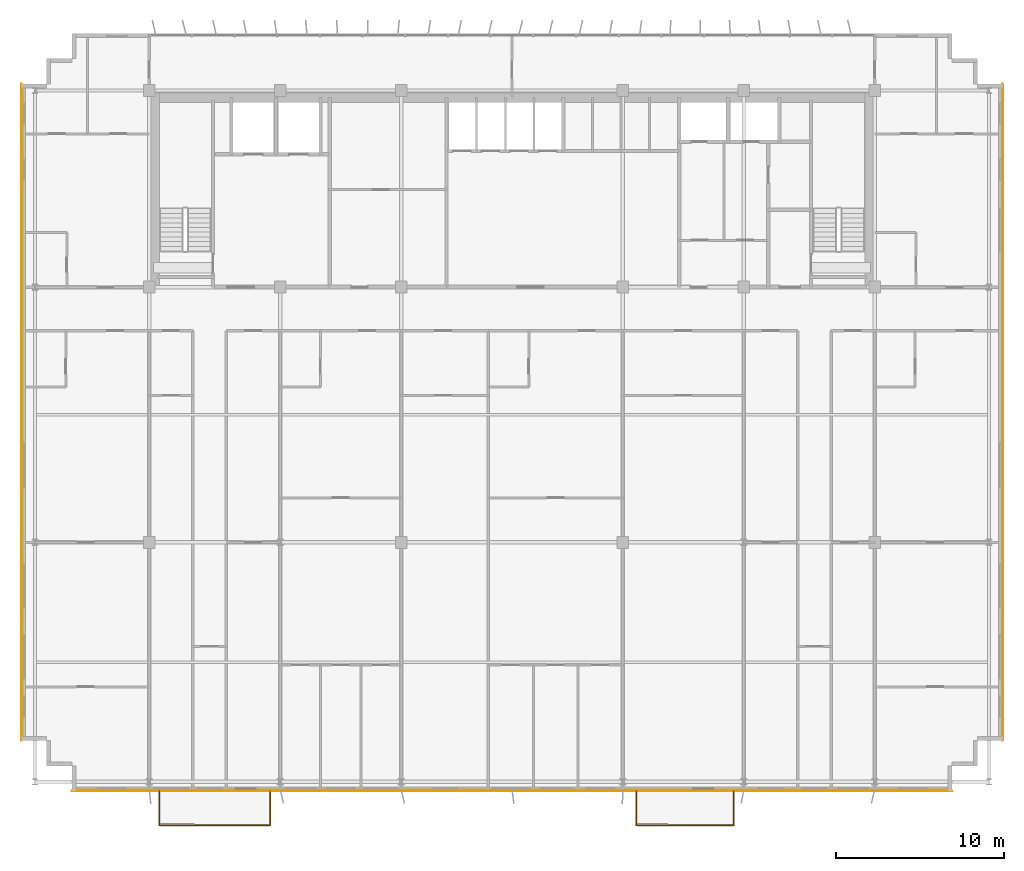
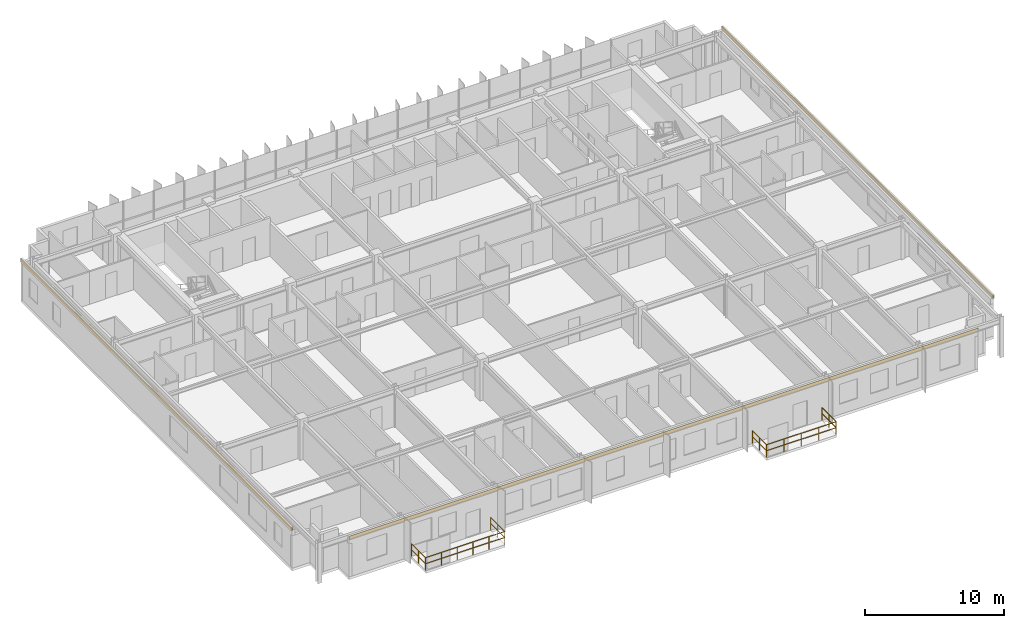
# One storey, part 22 of 23: 6 railings, 3 coverings.
"""IFC4 building model written with IfcOpenShell, lengths in metres."""

from ifc_helpers import new_model, si_unit, direction, frame, origin, origin_2d, place, context, subcontext, project, spatial, rectangle, extrude, source, transform, mapped, material, layer, layer_set, type_object, element, save


model = new_model("IFC4")

# Units and contexts
model_context = context("Model", 3, precision=1e-05, world=origin(), true_north=direction((0.0, 1.0)))
body_context = subcontext(model_context, "Body", "Model", "MODEL_VIEW")
ifc_project = project(units=[si_unit("LENGTHUNIT", "METRE"), si_unit("AREAUNIT", "SQUARE_METRE"), si_unit("VOLUMEUNIT", "CUBIC_METRE"), si_unit("PLANEANGLEUNIT", "RADIAN"), si_unit("MASSUNIT", "GRAM", prefix="KILO")], contexts=[model_context])

# Site, building, storey
site_placement = place(None, origin())
site = spatial("IfcSite", under=ifc_project, at=site_placement, CompositionType="ELEMENT")
building_placement = place(site_placement, origin())
building = spatial("IfcBuilding", under=site, at=building_placement, Name="Trelvane Seafront Commons", CompositionType="ELEMENT")
storey_placement = place(building_placement, frame((0.0, 0.0, 208.5)))
storey = spatial("IfcBuildingStorey", under=building, at=storey_placement, Name="L54", CompositionType="ELEMENT", Elevation=208.5)

# Railings
ifc_material_1 = material(Name="Stainless steel balustrade", Category="steel")
railing_type = type_object("IfcRailingType", Name="ARCH-RAIL-BAL1150", PredefinedType="BALUSTRADE", material=ifc_material_1)
railing_1_placement = place(storey_placement, frame((16.199951171875, 3.39990234375, 0.0)))
element("IfcRailing", 1, at=railing_1_placement, inside=storey, type_object=railing_type, Name="RL-L54-BAL0-01", PredefinedType="BALUSTRADE", context=body_context, shape_type="SweptSolid", body=[
    extrude(rectangle(XDim=0.048095703125, YDim=0.048095703125, at=origin_2d()), frame((0.0, 0.0, 1.1259765625), z_axis=(0.0, -1.0, 0.0), x_axis=(1.0, 0.0, 0.0)), (0.0, 0.0, 1.0), 2.039794921875),
    extrude(rectangle(XDim=0.048095703125, YDim=0.048095703125, at=origin_2d()), frame((0.0, 0.0, 0.597900390625), z_axis=(0.0, -1.0, 0.0), x_axis=(1.0, 0.0, 0.0)), (0.0, 0.0, 1.0), 2.039794921875),
    extrude(rectangle(XDim=0.0419921875, YDim=0.0419921875, at=origin_2d()), origin(), (0.0, 0.0, 1.0), 1.1259765625),
    extrude(rectangle(XDim=0.0419921875, YDim=0.0419921875, at=origin_2d()), frame((0.0, -1.02001953125, 0.0)), (0.0, 0.0, 1.0), 1.1259765625),
    extrude(rectangle(XDim=0.0419921875, YDim=0.0419921875, at=origin_2d()), frame((0.0, -2.039794921875, 0.0)), (0.0, 0.0, 1.0), 1.1259765625),
])
railing_2_placement = place(storey_placement, frame((16.199951171875, 1.360107421875, 0.0)))
element("IfcRailing", 2, at=railing_2_placement, inside=storey, type_object=railing_type, Name="RL-L54-BAL0-02", PredefinedType="BALUSTRADE", context=body_context, shape_type="SweptSolid", body=[
    extrude(rectangle(XDim=0.048095703125, YDim=0.048095703125, at=origin_2d()), frame((0.0, 0.0, 1.1259765625), z_axis=(1.0, 0.0, 0.0), x_axis=(0.0, 1.0, 0.0)), (0.0, 0.0, 1.0), 6.60009765625),
    extrude(rectangle(XDim=0.048095703125, YDim=0.048095703125, at=origin_2d()), frame((0.0, 0.0, 0.597900390625), z_axis=(1.0, 0.0, 0.0), x_axis=(0.0, 1.0, 0.0)), (0.0, 0.0, 1.0), 6.60009765625),
    extrude(rectangle(XDim=0.0419921875, YDim=0.0419921875, at=origin_2d()), origin(), (0.0, 0.0, 1.0), 1.1259765625),
    extrude(rectangle(XDim=0.0419921875, YDim=0.0419921875, at=origin_2d()), frame((1.320068359375, 0.0, 0.0)), (0.0, 0.0, 1.0), 1.1259765625),
    extrude(rectangle(XDim=0.0419921875, YDim=0.0419921875, at=origin_2d()), frame((2.64013671875, 0.0, 0.0)), (0.0, 0.0, 1.0), 1.1259765625),
    extrude(rectangle(XDim=0.0419921875, YDim=0.0419921875, at=origin_2d()), frame((3.9599609375, 0.0, 0.0)), (0.0, 0.0, 1.0), 1.1259765625),
    extrude(rectangle(XDim=0.0419921875, YDim=0.0419921875, at=origin_2d()), frame((5.280029296875, 0.0, 0.0)), (0.0, 0.0, 1.0), 1.1259765625),
    extrude(rectangle(XDim=0.0419921875, YDim=0.0419921875, at=origin_2d()), frame((6.60009765625, 0.0, 0.0)), (0.0, 0.0, 1.0), 1.1259765625),
])
railing_3_placement = place(storey_placement, frame((22.800048828125, 1.360107421875, 0.0)))
element("IfcRailing", 3, at=railing_3_placement, inside=storey, type_object=railing_type, Name="RL-L54-BAL0-03", PredefinedType="BALUSTRADE", context=body_context, shape_type="SweptSolid", body=[
    extrude(rectangle(XDim=0.048095703125, YDim=0.048095703125, at=origin_2d()), frame((0.0, 0.0, 1.1259765625), z_axis=(0.0, 1.0, 0.0), x_axis=(-1.0, 0.0, 0.0)), (0.0, 0.0, 1.0), 2.039794921875),
    extrude(rectangle(XDim=0.048095703125, YDim=0.048095703125, at=origin_2d()), frame((0.0, 0.0, 0.597900390625), z_axis=(0.0, 1.0, 0.0), x_axis=(-1.0, 0.0, 0.0)), (0.0, 0.0, 1.0), 2.039794921875),
    extrude(rectangle(XDim=0.0419921875, YDim=0.0419921875, at=origin_2d()), origin(), (0.0, 0.0, 1.0), 1.1259765625),
    extrude(rectangle(XDim=0.0419921875, YDim=0.0419921875, at=origin_2d()), frame((0.0, 1.02001953125, 0.0)), (0.0, 0.0, 1.0), 1.1259765625),
    extrude(rectangle(XDim=0.0419921875, YDim=0.0419921875, at=origin_2d()), frame((0.0, 2.039794921875, 0.0)), (0.0, 0.0, 1.0), 1.1259765625),
])
railing_4_placement = place(storey_placement, frame((44.60009765625, 3.39990234375, 0.0)))
element("IfcRailing", 4, at=railing_4_placement, inside=storey, type_object=railing_type, Name="RL-L54-BAL1-01", PredefinedType="BALUSTRADE", context=body_context, shape_type="SweptSolid", body=[
    extrude(rectangle(XDim=0.048095703125, YDim=0.048095703125, at=origin_2d()), frame((0.0, 0.0, 1.1259765625), z_axis=(0.0, -1.0, 0.0), x_axis=(1.0, 0.0, 0.0)), (0.0, 0.0, 1.0), 2.039794921875),
    extrude(rectangle(XDim=0.048095703125, YDim=0.048095703125, at=origin_2d()), frame((0.0, 0.0, 0.597900390625), z_axis=(0.0, -1.0, 0.0), x_axis=(1.0, 0.0, 0.0)), (0.0, 0.0, 1.0), 2.039794921875),
    extrude(rectangle(XDim=0.0419921875, YDim=0.0419921875, at=origin_2d()), origin(), (0.0, 0.0, 1.0), 1.1259765625),
    extrude(rectangle(XDim=0.0419921875, YDim=0.0419921875, at=origin_2d()), frame((0.0, -1.02001953125, 0.0)), (0.0, 0.0, 1.0), 1.1259765625),
    extrude(rectangle(XDim=0.0419921875, YDim=0.0419921875, at=origin_2d()), frame((0.0, -2.039794921875, 0.0)), (0.0, 0.0, 1.0), 1.1259765625),
])
railing_5_placement = place(storey_placement, frame((44.60009765625, 1.360107421875, 0.0)))
element("IfcRailing", 5, at=railing_5_placement, inside=storey, type_object=railing_type, Name="RL-L54-BAL1-02", PredefinedType="BALUSTRADE", context=body_context, shape_type="SweptSolid", body=[
    extrude(rectangle(XDim=0.048095703125, YDim=0.048095703125, at=origin_2d()), frame((0.0, 0.0, 1.1259765625), z_axis=(1.0, 0.0, 0.0), x_axis=(0.0, 1.0, 0.0)), (0.0, 0.0, 1.0), 5.7998046875),
    extrude(rectangle(XDim=0.048095703125, YDim=0.048095703125, at=origin_2d()), frame((0.0, 0.0, 0.597900390625), z_axis=(1.0, 0.0, 0.0), x_axis=(0.0, 1.0, 0.0)), (0.0, 0.0, 1.0), 5.7998046875),
    extrude(rectangle(XDim=0.0419921875, YDim=0.0419921875, at=origin_2d()), origin(), (0.0, 0.0, 1.0), 1.1259765625),
    extrude(rectangle(XDim=0.0419921875, YDim=0.0419921875, at=origin_2d()), frame((1.449951171875, 0.0, 0.0)), (0.0, 0.0, 1.0), 1.1259765625),
    extrude(rectangle(XDim=0.0419921875, YDim=0.0419921875, at=origin_2d()), frame((2.89990234375, 0.0, 0.0)), (0.0, 0.0, 1.0), 1.1259765625),
    extrude(rectangle(XDim=0.0419921875, YDim=0.0419921875, at=origin_2d()), frame((4.349853515625, 0.0, 0.0)), (0.0, 0.0, 1.0), 1.1259765625),
    extrude(rectangle(XDim=0.0419921875, YDim=0.0419921875, at=origin_2d()), frame((5.7998046875, 0.0, 0.0)), (0.0, 0.0, 1.0), 1.1259765625),
])
railing_6_placement = place(storey_placement, frame((50.39990234375, 1.360107421875, 0.0)))
element("IfcRailing", 6, at=railing_6_placement, inside=storey, type_object=railing_type, Name="RL-L54-BAL1-03", PredefinedType="BALUSTRADE", context=body_context, shape_type="SweptSolid", body=[
    extrude(rectangle(XDim=0.048095703125, YDim=0.048095703125, at=origin_2d()), frame((0.0, 0.0, 1.1259765625), z_axis=(0.0, 1.0, 0.0), x_axis=(-1.0, 0.0, 0.0)), (0.0, 0.0, 1.0), 2.039794921875),
    extrude(rectangle(XDim=0.048095703125, YDim=0.048095703125, at=origin_2d()), frame((0.0, 0.0, 0.597900390625), z_axis=(0.0, 1.0, 0.0), x_axis=(-1.0, 0.0, 0.0)), (0.0, 0.0, 1.0), 2.039794921875),
    extrude(rectangle(XDim=0.0419921875, YDim=0.0419921875, at=origin_2d()), origin(), (0.0, 0.0, 1.0), 1.1259765625),
    extrude(rectangle(XDim=0.0419921875, YDim=0.0419921875, at=origin_2d()), frame((0.0, 1.02001953125, 0.0)), (0.0, 0.0, 1.0), 1.1259765625),
    extrude(rectangle(XDim=0.0419921875, YDim=0.0419921875, at=origin_2d()), frame((0.0, 2.039794921875, 0.0)), (0.0, 0.0, 1.0), 1.1259765625),
])

# Coverings
ifc_material_2 = material(Name="Anodised pale-silver aluminium", Category="aluminium")
ifc_layer = layer(ifc_material_2, 0.034912109375, Name="ARCH-COV-CLAD35")
ifc_layer_set = layer_set([ifc_layer], Name="Anodised pale-silver aluminium")
covering_type = type_object("IfcCoveringType", Name="ARCH-COV-CLAD35", PredefinedType="CLADDING", material=ifc_layer_set)
shared_shape_1 = source(origin(), body_context, "Body", "SweptSolid", [
    extrude(rectangle(XDim=39.10009765625, YDim=0.034912109375, at=origin_2d()), origin(), (0.0, 0.0, 1.0), 0.280029296875),
])
for number, where, z_axis, x_axis, name in (
    (7, (8.0, 25.949951171875, 3.31982421875), (0.0, 0.0, 1.0), (0.0, 1.0, 0.0), "CLD-L54-00226"),
    (8, (66.39990234375, 25.949951171875, 3.31982421875), (0.0, 0.0, 1.0), (0.0, -1.0, 0.0), "CLD-L54-00227"),
):
    element("IfcCovering", number, at=place(storey_placement, frame(where, z_axis=z_axis, x_axis=x_axis)), inside=storey, type_object=covering_type, Name=name, PredefinedType="CLADDING", context=body_context, shape_type="MappedRepresentation", body=[
        mapped(shared_shape_1, transform((0.0, 0.0, 0.0), x_axis=(1.0, 0.0, 0.0), y_axis=(0.0, 1.0, 0.0), z_axis=(0.0, 0.0, 1.0), scale=1.0)),
    ])
shared_shape_2 = source(origin(), body_context, "Body", "SweptSolid", [
    extrude(rectangle(XDim=52.39990234375, YDim=0.034912109375, at=origin_2d()), origin(), (0.0, 0.0, 1.0), 0.280029296875),
])
covering_placement = place(storey_placement, frame((37.199951171875, 3.39990234375, 3.31982421875), z_axis=(0.0, 0.0, 1.0), x_axis=(-1.0, 0.0, 0.0)))
element("IfcCovering", 9, at=covering_placement, inside=storey, type_object=covering_type, Name="CLD-L54-00228", PredefinedType="CLADDING", context=body_context, shape_type="MappedRepresentation", body=[
    mapped(shared_shape_2, transform((0.0, 0.0, 0.0), x_axis=(1.0, 0.0, 0.0), y_axis=(0.0, 1.0, 0.0), z_axis=(0.0, 0.0, 1.0), scale=1.0)),
])

save(model, "model.ifc")
